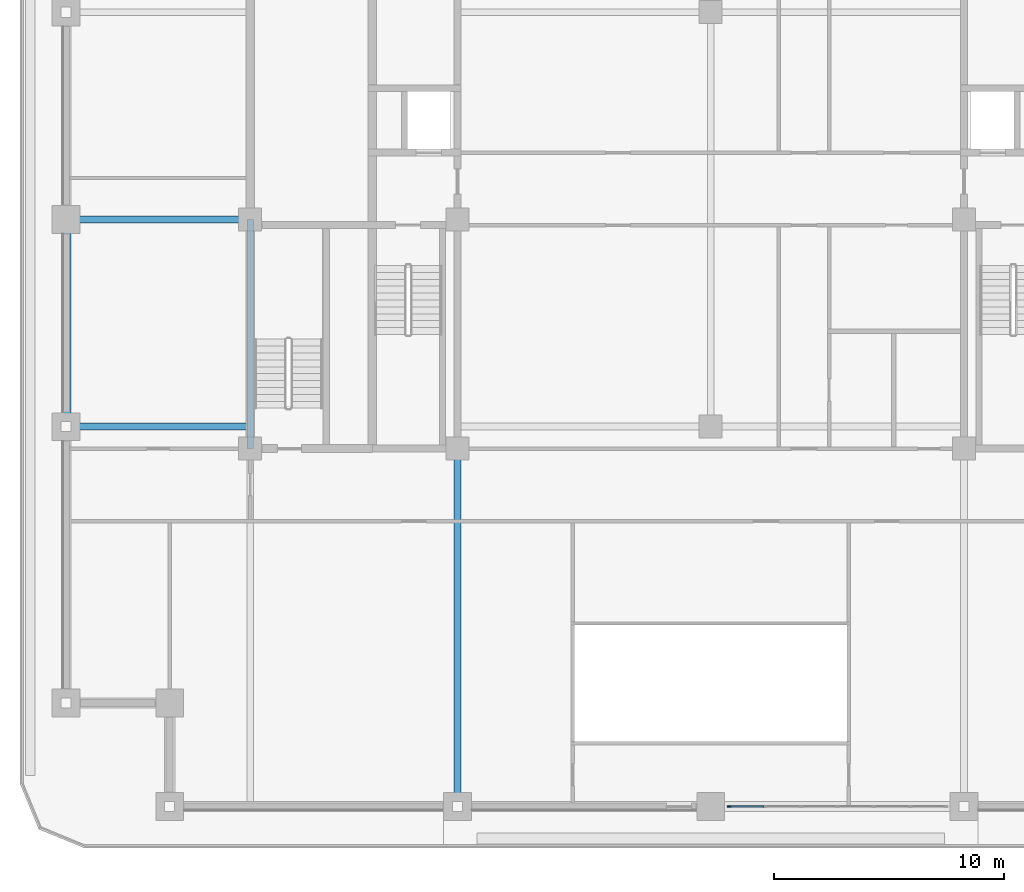
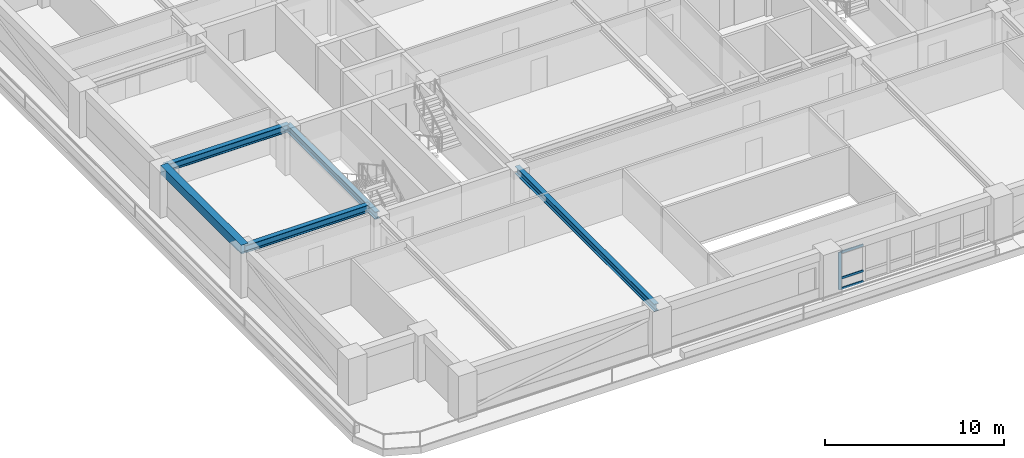
# One storey, part 2 of 17: 5 beams, 4 members, 1 element without a shape of its own.
"""IFC4 building model written with IfcOpenShell, lengths in metres."""

from ifc_helpers import new_model, si_unit, direction, frame, origin, origin_2d, place, context, subcontext, project, spatial, rectangle, i_section, extrude, material, material_profile, profile_set, type_object, element, aggregate, save


model = new_model("IFC4")

# Units and contexts
model_context = context("Model", 3, precision=1e-05, world=origin(), true_north=direction((0.0, 1.0)))
body_context = subcontext(model_context, "Body", "Model", "MODEL_VIEW")
ifc_project = project(units=[si_unit("LENGTHUNIT", "METRE"), si_unit("AREAUNIT", "SQUARE_METRE"), si_unit("VOLUMEUNIT", "CUBIC_METRE"), si_unit("PLANEANGLEUNIT", "RADIAN"), si_unit("MASSUNIT", "GRAM", prefix="KILO")], contexts=[model_context])

# Site, building, storey
site_placement = place(None, origin())
site = spatial("IfcSite", under=ifc_project, at=site_placement, CompositionType="ELEMENT")
building_placement = place(site_placement, origin())
building = spatial("IfcBuilding", under=site, at=building_placement, Name="Zulmaris Gate Convention Tower", CompositionType="ELEMENT")
storey_placement = place(building_placement, frame((0.0, 0.0, 149.909912109375)))
storey = spatial("IfcBuildingStorey", under=building, at=storey_placement, Name="L38", CompositionType="ELEMENT", Elevation=149.909912109375)

# Beams
ifc_material_1 = material(Name="Steel S355", Category="steel")
ifc_material_profile_1 = material_profile(ifc_material_1, i_section(OverallWidth=0.300048828125, OverallDepth=0.5, WebThickness=0.014404296875, FlangeThickness=0.028076171875, FilletRadius=0.027099609375, at=origin_2d()), Name="HEB 500")
ifc_profile_set_1 = profile_set([ifc_material_profile_1], Name="Steel S355")
beam_type_1 = type_object("IfcBeamType", Name="BM-HEB500", PredefinedType="BEAM", material=ifc_profile_set_1)
beam_1_placement = place(storey_placement, frame((-11.0, -25.5, 2.89306640625), z_axis=(0.0, 1.0, 0.0), x_axis=(-1.0, 0.0, 0.0)))
element("IfcBeam", 1, at=beam_1_placement, inside=storey, type_object=beam_type_1, Name="L38 Beam BM-L38-G08", PredefinedType="BEAM", context=body_context, shape_type="SweptSolid", body=[
    extrude(i_section(OverallWidth=0.300048828125, OverallDepth=0.5, WebThickness=0.014404296875, FlangeThickness=0.028076171875, FilletRadius=0.027099609375, at=origin_2d()), origin(), (0.0, 0.0, 1.0), 15.550048828125),
])
for number, where, z_axis, x_axis, name in (
    (2, (-28.0, -9.0, 2.89306640625), (1.0, 0.0, 0.0), (0.0, 1.0, 0.0), "L38 Beam BM-L38-G16"),
    (3, (-28.0, 0.0, 2.89306640625), (1.0, 0.0, 0.0), (0.0, 1.0, 0.0), "L38 Beam BM-L38-G17"),
):
    element("IfcBeam", number, at=place(storey_placement, frame(where, z_axis=z_axis, x_axis=x_axis)), inside=storey, type_object=beam_type_1, Name=name, PredefinedType="BEAM", context=body_context, shape_type="SweptSolid", body=[
        extrude(i_section(OverallWidth=0.300048828125, OverallDepth=0.5, WebThickness=0.014404296875, FlangeThickness=0.028076171875, FilletRadius=0.027099609375, at=origin_2d()), origin(), (0.0, 0.0, 1.0), 8.0),
    ])
beam_2_placement = place(storey_placement, frame((-20.0, -9.949951171875, 2.89306640625), z_axis=(0.0, 1.0, 0.0), x_axis=(-1.0, 0.0, 0.0)))
element("IfcBeam", 4, at=beam_2_placement, inside=storey, type_object=beam_type_1, Name="L38 Beam BM-L38-G26", PredefinedType="BEAM", context=body_context, shape_type="SweptSolid", body=[
    extrude(i_section(OverallWidth=0.300048828125, OverallDepth=0.5, WebThickness=0.014404296875, FlangeThickness=0.028076171875, FilletRadius=0.027099609375, at=origin_2d()), origin(), (0.0, 0.0, 1.0), 9.949951171875),
])
ifc_material_2 = material(Name="Precast concrete C50/60", Category="concrete")
ifc_material_profile_2 = material_profile(ifc_material_2, rectangle(XDim=0.449951171875, YDim=0.60009765625, at=origin_2d()), Name="RC SPANDREL 450x600")
ifc_profile_set_2 = profile_set([ifc_material_profile_2], Name="Precast concrete C50/60")
beam_type_2 = type_object("IfcBeamType", Name="BM-SP450x600", PredefinedType="SPANDREL", material=ifc_profile_set_2)
beam_3_placement = place(storey_placement, frame((-28.0, 0.0, 2.844970703125), z_axis=(0.0, -1.0, 0.0), x_axis=(1.0, 0.0, 0.0)))
element("IfcBeam", 5, at=beam_3_placement, inside=storey, type_object=beam_type_2, Name="L38 Spandrel SP-L38-21", PredefinedType="SPANDREL", context=body_context, shape_type="SweptSolid", body=[
    extrude(rectangle(XDim=0.449951171875, YDim=0.60009765625, at=origin_2d()), origin(), (0.0, 0.0, 1.0), 9.0),
])

# Curtain wall, members
ifc_material_3 = material(Name="Anodised Aluminium", Category="aluminium")
curtain_wall_type = type_object("IfcCurtainWallType", Name="CW-06", PredefinedType="NOTDEFINED", material=ifc_material_3)
curtain_wall_placement = place(storey_placement, origin())
curtain_wall = element("IfcCurtainWall", 6, at=curtain_wall_placement, inside=storey, type_object=curtain_wall_type, Name="CW-06 CW06-L38-S-2_0", PredefinedType="NOTDEFINED")
ifc_material_profile_3 = material_profile(ifc_material_3, rectangle(XDim=0.074951171875, YDim=0.179931640625, at=origin_2d()), Name="ALU MULLION 75x180")
ifc_profile_set_3 = profile_set([ifc_material_profile_3], Name="Anodised Aluminium")
member_type_1 = type_object("IfcMemberType", Name="CW-06-MULL", PredefinedType="MULLION", material=ifc_profile_set_3)
member_1_placement = place(storey_placement, frame((0.797607421875, -25.5, 0.0), z_axis=(0.0, 0.0, 1.0), x_axis=(0.0, 1.0, 0.0)))
member_1 = element("IfcMember", 7, at=member_1_placement, type_object=member_type_1, Name="CW-06 mullion 1", PredefinedType="MULLION", context=body_context, shape_type="SweptSolid", body=[
    extrude(rectangle(XDim=0.074951171875, YDim=0.179931640625, at=origin_2d()), origin(), (0.0, 0.0, 1.0), 2.537109375),
])
ifc_material_profile_4 = material_profile(ifc_material_3, rectangle(XDim=0.074951171875, YDim=0.14990234375, at=origin_2d()), Name="ALU TRANSOM 75x150")
ifc_profile_set_4 = profile_set([ifc_material_profile_4], Name="Anodised Aluminium")
member_type_2 = type_object("IfcMemberType", Name="CW-06-TRAN", PredefinedType="USERDEFINED", material=ifc_profile_set_4)
member_2_placement = place(storey_placement, frame((0.8349609375, -25.5, 0.03759765625), z_axis=(1.0, 0.0, 0.0), x_axis=(0.0, 1.0, 0.0)))
member_2 = element("IfcMember", 8, at=member_2_placement, type_object=member_type_2, Name="CW-06 transom 1.1", ObjectType="TRANSOM", PredefinedType="USERDEFINED", context=body_context, shape_type="SweptSolid", body=[
    extrude(rectangle(XDim=0.074951171875, YDim=0.14990234375, at=origin_2d()), origin(), (0.0, 0.0, 1.0), 1.467529296875),
])
member_3_placement = place(storey_placement, frame((0.8349609375, -25.5, 0.75), z_axis=(1.0, 0.0, 0.0), x_axis=(0.0, 1.0, 0.0)))
member_3 = element("IfcMember", 9, at=member_3_placement, type_object=member_type_2, Name="CW-06 transom 1.2", ObjectType="TRANSOM", PredefinedType="USERDEFINED", context=body_context, shape_type="SweptSolid", body=[
    extrude(rectangle(XDim=0.074951171875, YDim=0.14990234375, at=origin_2d()), origin(), (0.0, 0.0, 1.0), 1.467529296875),
])
member_4_placement = place(storey_placement, frame((0.8349609375, -25.5, 2.49951171875), z_axis=(1.0, 0.0, 0.0), x_axis=(0.0, 1.0, 0.0)))
member_4 = element("IfcMember", 10, at=member_4_placement, type_object=member_type_2, Name="CW-06 transom 1.3", ObjectType="TRANSOM", PredefinedType="USERDEFINED", context=body_context, shape_type="SweptSolid", body=[
    extrude(rectangle(XDim=0.074951171875, YDim=0.14990234375, at=origin_2d()), origin(), (0.0, 0.0, 1.0), 1.467529296875),
])
aggregate(curtain_wall, [member_1, member_2, member_3, member_4])

save(model, "model.ifc")
